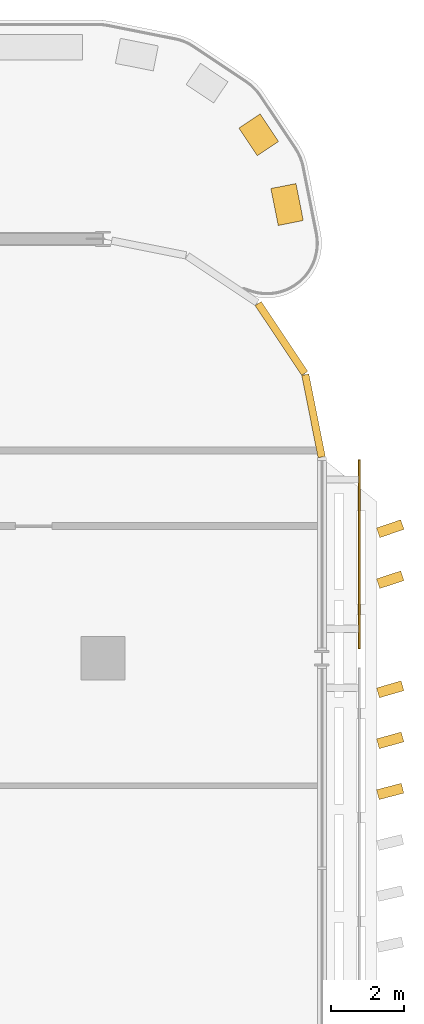
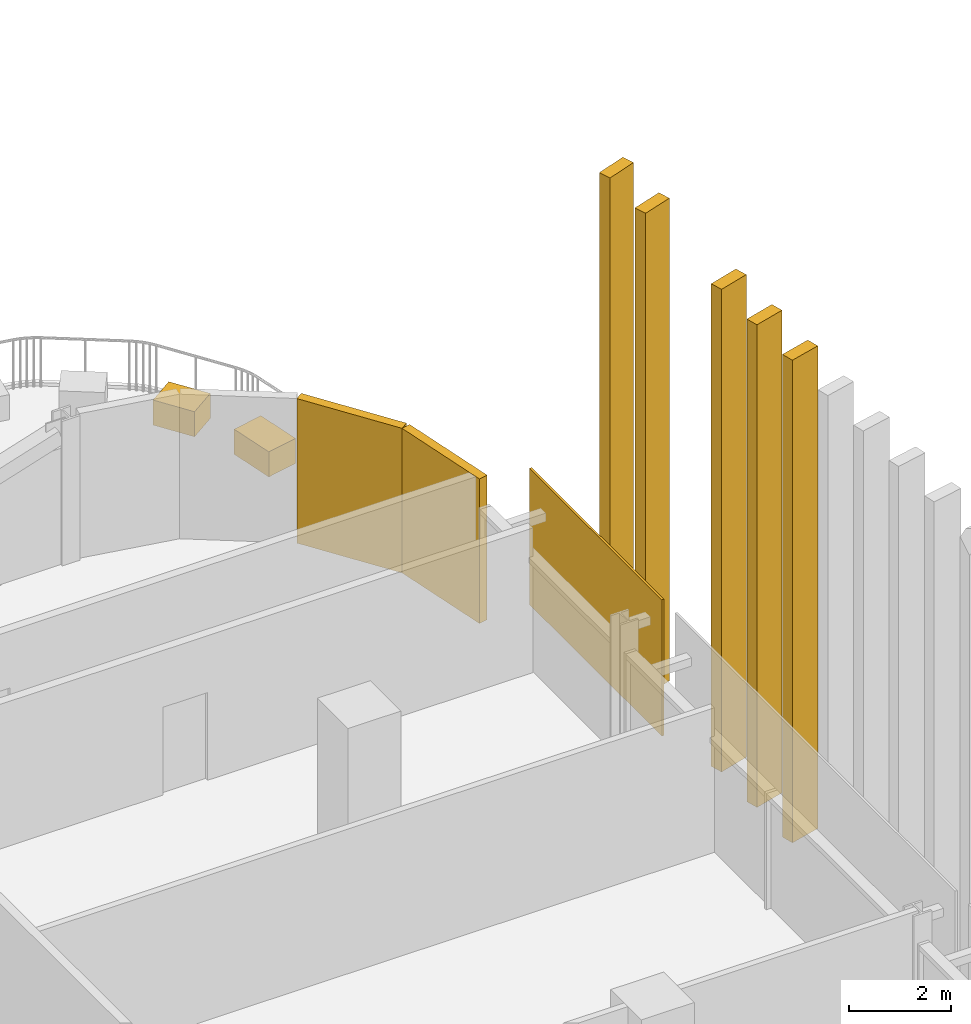
# One storey, part 30 of 30: 10 coverings.
"""IFC4 building model written with IfcOpenShell, lengths in metres."""

from ifc_helpers import new_model, si_unit, direction, frame, origin, origin_2d, place, context, subcontext, project, spatial, rectangle, extrude, material, layer, layer_set, type_object, element, save


model = new_model("IFC4")

# Units and contexts
model_context = context("Model", 3, precision=1e-05, world=origin(), true_north=direction((0.0, 1.0)))
body_context = subcontext(model_context, "Body", "Model", "MODEL_VIEW")
ifc_project = project(units=[si_unit("LENGTHUNIT", "METRE"), si_unit("AREAUNIT", "SQUARE_METRE"), si_unit("VOLUMEUNIT", "CUBIC_METRE"), si_unit("PLANEANGLEUNIT", "RADIAN"), si_unit("MASSUNIT", "GRAM", prefix="KILO")], contexts=[model_context])

# Site, building, storey
site_placement = place(None, origin())
site = spatial("IfcSite", under=ifc_project, at=site_placement, CompositionType="ELEMENT")
building_placement = place(site_placement, origin())
building = spatial("IfcBuilding", under=site, at=building_placement, Name="Mahtab Terrace Research Tower", CompositionType="ELEMENT")
storey_placement = place(building_placement, frame((0.0, 0.0, 159.199951171875)))
storey = spatial("IfcBuildingStorey", under=building, at=storey_placement, Name="L37", CompositionType="ELEMENT", Elevation=159.199951171875)

# Coverings
ifc_material_1 = material(Name="Black aluminium cladding panel", Category="aluminium")
ifc_layer_1 = layer(ifc_material_1, 0.199951171875)
ifc_layer_set_1 = layer_set([ifc_layer_1], Name="Black metal corner cladding 200")
covering_type_1 = type_object("IfcCoveringType", Name="Black metal corner cladding 200", PredefinedType="CLADDING", material=ifc_layer_set_1)
for number, where, z_axis, x_axis, name in (
    (1, (46.89306640625, 20.26953125, 0.0), (0.0, 0.0, 1.0), (-0.555291490808, 0.831655794326, 0.0), "Corner cladding L37 0"),
    (2, (47.771484375, 18.14794921875, 0.0), (0.0, 0.0, 1.0), (-0.195212442692, 0.980760981187, 0.0), "Corner cladding L37 38"),
):
    element("IfcCovering", number, at=place(storey_placement, frame(where, z_axis=z_axis, x_axis=x_axis)), inside=storey, type_object=covering_type_1, Name=name, PredefinedType="CLADDING", context=body_context, shape_type="SweptSolid", body=[
        extrude(rectangle(XDim=2.30126953125, YDim=0.199951171875, at=origin_2d()), origin(), (0.0, 0.0, 1.0), 3.4599609375),
    ])
ifc_material_2 = material(Name="Planting soil and shrubs")
ifc_layer_2 = layer(ifc_material_2, 0.1201171875)
ifc_layer_set_2 = layer_set([ifc_layer_2], Name="Planter")
covering_type_2 = type_object("IfcCoveringType", Name="Planter", PredefinedType="USERDEFINED", material=ifc_layer_set_2)
covering_1_placement = place(storey_placement, frame((47.0478515625, 23.941162109375, 0.030029296875), z_axis=(0.0, 0.0, 1.0), x_axis=(-0.195395445655, 0.980724538195, 0.0)))
element("IfcCovering", 3, at=covering_1_placement, inside=storey, type_object=covering_type_2, Name="PLANTER terrace 4", ObjectType="PLANTER", PredefinedType="USERDEFINED", context=body_context, shape_type="SweptSolid", body=[
    extrude(rectangle(XDim=1.0341796875, YDim=0.699951171875, at=origin_2d()), origin(), (0.0, 0.0, 1.0), 0.60009765625),
])
covering_2_placement = place(storey_placement, frame((46.268798828125, 25.853759765625, 0.030029296875), z_axis=(0.0, 0.0, 1.0), x_axis=(-0.555757494231, 0.831344457855, 0.0)))
element("IfcCovering", 4, at=covering_2_placement, inside=storey, type_object=covering_type_2, Name="PLANTER terrace 4", ObjectType="PLANTER", PredefinedType="USERDEFINED", context=body_context, shape_type="SweptSolid", body=[
    extrude(rectangle(XDim=0.908447265625, YDim=0.699951171875, at=origin_2d()), origin(), (0.0, 0.0, 1.0), 0.60009765625),
])
ifc_material_3 = material(Name="Bronze anodised aluminium", Category="aluminium")
ifc_layer_3 = layer(ifc_material_3, 0.050048828125)
ifc_layer_set_3 = layer_set([ifc_layer_3], Name="Sky lounge girih screen panel")
covering_type_3 = type_object("IfcCoveringType", Name="Sky lounge girih screen panel", PredefinedType="CLADDING", material=ifc_layer_set_3)
covering_3_placement = place(storey_placement, frame((49.02490234375, 14.35400390625, 0.10009765625), z_axis=(0.0, 0.0, 1.0), x_axis=(0.0, 1.0, 0.0)))
element("IfcCovering", 5, at=covering_3_placement, inside=storey, type_object=covering_type_3, Name="Girih screen L37 E38", PredefinedType="CLADDING", context=body_context, shape_type="SweptSolid", body=[
    extrude(rectangle(XDim=5.19189453125, YDim=0.050048828125, at=origin_2d()), origin(), (0.0, 0.0, 1.0), 3.260009765625),
])
ifc_layer_4 = layer(ifc_material_3, 0.1201171875)
ifc_layer_set_4 = layer_set([ifc_layer_4], Name="Vertical fin 700")
covering_type_4 = type_object("IfcCoveringType", Name="Vertical fin 700", PredefinedType="CLADDING", material=ifc_layer_set_4)
for number, where, z_axis, x_axis, name in (
    (6, (49.8740234375, 7.85009765625, -0.14990234375), (0.0, 0.0, 1.0), (-0.252367400013, 0.967631487401, 0.0), "Fin L37 E6"),
    (7, (49.874755859375, 9.25, -0.14990234375), (0.0, 0.0, 1.0), (-0.266248910467, 0.963904309397, 0.0), "Fin L37 E7"),
    (8, (49.875244140625, 10.64990234375, -0.14990234375), (0.0, 0.0, 1.0), (-0.280075417025, 0.959978000153, 0.0), "Fin L37 E8"),
    (9, (49.876220703125, 13.654052734375, -0.14990234375), (0.0, 0.0, 1.0), (-0.30954421136, 0.950885051525, 0.0), "Fin L37 E1"),
    (10, (49.87646484375, 15.053955078125, -0.14990234375), (0.0, 0.0, 1.0), (-0.323179122533, 0.946337812178, 0.0), "Fin L37 E2"),
):
    element("IfcCovering", number, at=place(storey_placement, frame(where, z_axis=z_axis, x_axis=x_axis)), inside=storey, type_object=covering_type_4, Name=name, PredefinedType="CLADDING", context=body_context, shape_type="SweptSolid", body=[
        extrude(rectangle(XDim=0.280029296875, YDim=0.699951171875, at=origin_2d()), origin(), (0.0, 0.0, 1.0), 11.550048828125),
    ])

save(model, "model.ifc")
